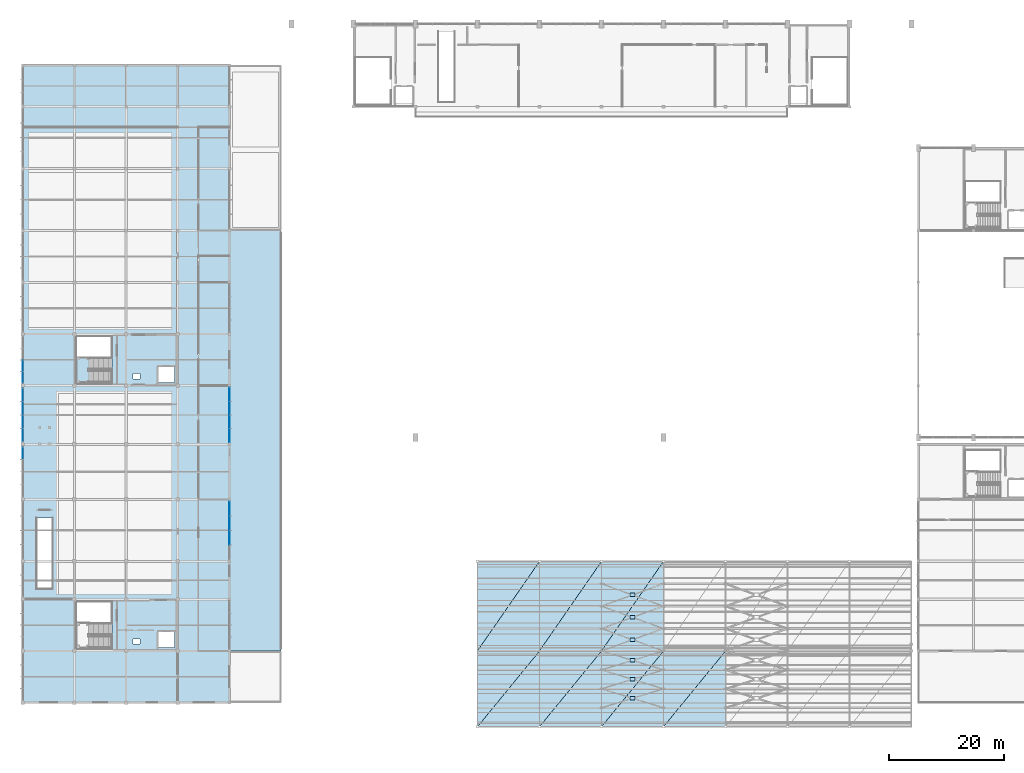
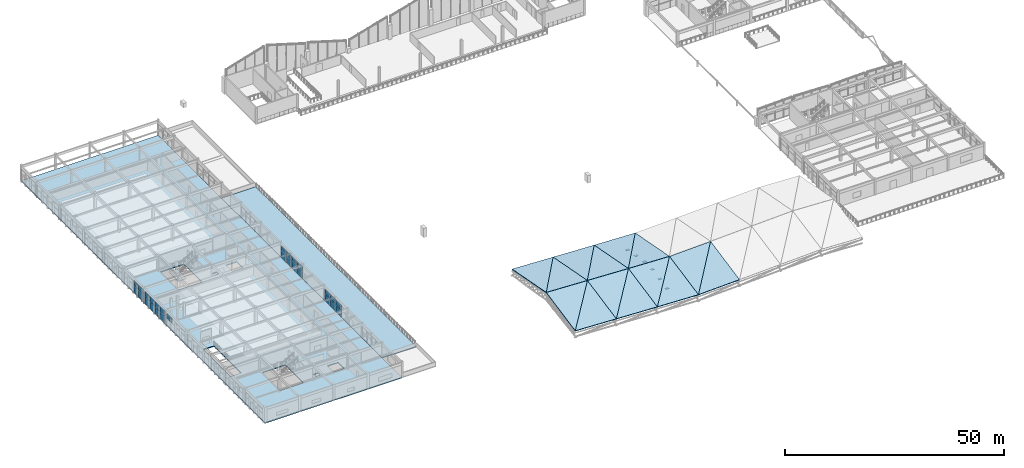
# One storey, part 57 of 89: 33 plates, 17 slabs, 6 elements without a shape of their own.
"""IFC4 building model written with IfcOpenShell, lengths in metres."""

from ifc_helpers import new_model, si_unit, direction, frame, origin, origin_2d, place, context, subcontext, project, spatial, polyline, rectangle, outline, extrude, material, layer, layer_set, type_object, element, aggregate, save


model = new_model("IFC4")

# Units and contexts
model_context = context("Model", 3, precision=1e-05, world=origin(), true_north=direction((0.0, 1.0)))
body_context = subcontext(model_context, "Body", "Model", "MODEL_VIEW")
ifc_project = project(units=[si_unit("LENGTHUNIT", "METRE"), si_unit("AREAUNIT", "SQUARE_METRE"), si_unit("VOLUMEUNIT", "CUBIC_METRE"), si_unit("PLANEANGLEUNIT", "RADIAN"), si_unit("MASSUNIT", "GRAM", prefix="KILO")], contexts=[model_context])

# Site, building, storey
site_placement = place(None, origin())
site = spatial("IfcSite", under=ifc_project, at=site_placement, CompositionType="ELEMENT")
building_placement = place(site_placement, origin())
building = spatial("IfcBuilding", under=site, at=building_placement, Name="Suirenkawa Promenade Aquatics Centre", CompositionType="ELEMENT")
storey_placement = place(building_placement, frame((0.0, 0.0, 9.60009765625)))
storey = spatial("IfcBuildingStorey", under=building, at=storey_placement, Name="L02", CompositionType="ELEMENT", Elevation=9.60009765625)

# Curtain wall, plates
ifc_material_1 = material(Name="Anodised aluminium 6063-T6", Category="aluminium")
curtain_wall_type_1 = type_object("IfcCurtainWallType", Name="CWAT-V5EL02-64", PredefinedType="NOTDEFINED", material=ifc_material_1)
curtain_wall_1_placement = place(storey_placement, origin())
curtain_wall_1 = element("IfcCurtainWall", 1, at=curtain_wall_1_placement, inside=storey, type_object=curtain_wall_type_1, Name="Curtain wall CWA-64 CW-118", PredefinedType="NOTDEFINED")
ifc_material_2 = material(Name="Low-E thermally broken double glazing", Category="glass")
ifc_layer_1 = layer(ifc_material_2, 0.028076171875, Name="Low-E thermally broken double glazing", Category="glass")
ifc_layer_set_1 = layer_set([ifc_layer_1], Name="Low-E thermally broken double glazing")
plate_type_1 = type_object("IfcPlateType", Name="CWP-LOWE-28", PredefinedType="CURTAIN_PANEL", material=ifc_layer_set_1)
plate_1_placement = place(storey_placement, frame((36.0, 39.2509765625, 0.039794921875), z_axis=(0.0, 0.0, 1.0), x_axis=(0.0, -1.0, 0.0)))
plate_1 = element("IfcPlate", 2, at=plate_1_placement, type_object=plate_type_1, Name="Glazed panel CP-02 CWP-02384", PredefinedType="CURTAIN_PANEL", context=body_context, shape_type="SweptSolid", body=[
    extrude(outline(polyline([(0.0400390625, 0.0), (2.485595703125, 0.0), (2.485595703125, 1.8701171875), (0.0400390625, 1.8701171875), (0.0400390625, 0.0)])), frame((0.0, 0.01416015625, 0.0), z_axis=(0.0, -1.0, 0.0), x_axis=(1.0, 0.0, 0.0)), (0.0, 0.0, 1.0), 0.028076171875),
])
plate_2_placement = place(storey_placement, frame((36.0, 39.2509765625, 1.989990234375), z_axis=(0.0, 0.0, 1.0), x_axis=(0.0, -1.0, 0.0)))
plate_2 = element("IfcPlate", 3, at=plate_2_placement, type_object=plate_type_1, Name="Top glazed panel CP-02 CWP-02385", PredefinedType="CURTAIN_PANEL", context=body_context, shape_type="SweptSolid", body=[
    extrude(outline(polyline([(0.0400390625, 0.0), (2.485595703125, 0.0), (2.485595703125, 1.33984375), (0.0400390625, 1.33984375), (0.0400390625, 0.0)])), frame((0.0, 0.01416015625, 0.0), z_axis=(0.0, -1.0, 0.0), x_axis=(1.0, 0.0, 0.0)), (0.0, 0.0, 1.0), 0.028076171875),
])
plate_3_placement = place(storey_placement, frame((36.0, 36.7255859375, 0.039794921875), z_axis=(0.0, 0.0, 1.0), x_axis=(0.0, -1.0, 0.0)))
plate_3 = element("IfcPlate", 4, at=plate_3_placement, type_object=plate_type_1, Name="Glazed panel CP-02 CWP-02386", PredefinedType="CURTAIN_PANEL", context=body_context, shape_type="SweptSolid", body=[
    extrude(outline(polyline([(0.0400390625, 0.0), (2.485595703125, 0.0), (2.485595703125, 1.8701171875), (0.0400390625, 1.8701171875), (0.0400390625, 0.0)])), frame((0.0, 0.01416015625, 0.0), z_axis=(0.0, -1.0, 0.0), x_axis=(1.0, 0.0, 0.0)), (0.0, 0.0, 1.0), 0.028076171875),
])
plate_4_placement = place(storey_placement, frame((36.0, 36.7255859375, 1.989990234375), z_axis=(0.0, 0.0, 1.0), x_axis=(0.0, -1.0, 0.0)))
plate_4 = element("IfcPlate", 5, at=plate_4_placement, type_object=plate_type_1, Name="Top glazed panel CP-02 CWP-02387", PredefinedType="CURTAIN_PANEL", context=body_context, shape_type="SweptSolid", body=[
    extrude(outline(polyline([(0.0400390625, 0.0), (2.485595703125, 0.0), (2.485595703125, 1.33984375), (0.0400390625, 1.33984375), (0.0400390625, 0.0)])), frame((0.0, 0.01416015625, 0.0), z_axis=(0.0, -1.0, 0.0), x_axis=(1.0, 0.0, 0.0)), (0.0, 0.0, 1.0), 0.028076171875),
])
plate_5_placement = place(storey_placement, frame((36.0, 34.199951171875, 0.039794921875), z_axis=(0.0, 0.0, 1.0), x_axis=(0.0, -1.0, 0.0)))
plate_5 = element("IfcPlate", 6, at=plate_5_placement, type_object=plate_type_1, Name="Glazed panel CP-02 CWP-02388", PredefinedType="CURTAIN_PANEL", context=body_context, shape_type="SweptSolid", body=[
    extrude(outline(polyline([(0.0400390625, 0.0), (2.485595703125, 0.0), (2.485595703125, 1.8701171875), (0.0400390625, 1.8701171875), (0.0400390625, 0.0)])), frame((0.0, 0.01416015625, 0.0), z_axis=(0.0, -1.0, 0.0), x_axis=(1.0, 0.0, 0.0)), (0.0, 0.0, 1.0), 0.028076171875),
])
plate_6_placement = place(storey_placement, frame((36.0, 34.199951171875, 1.989990234375), z_axis=(0.0, 0.0, 1.0), x_axis=(0.0, -1.0, 0.0)))
plate_6 = element("IfcPlate", 7, at=plate_6_placement, type_object=plate_type_1, Name="Top glazed panel CP-02 CWP-02389", PredefinedType="CURTAIN_PANEL", context=body_context, shape_type="SweptSolid", body=[
    extrude(outline(polyline([(0.0400390625, 0.0), (2.485595703125, 0.0), (2.485595703125, 1.33984375), (0.0400390625, 1.33984375), (0.0400390625, 0.0)])), frame((0.0, 0.01416015625, 0.0), z_axis=(0.0, -1.0, 0.0), x_axis=(1.0, 0.0, 0.0)), (0.0, 0.0, 1.0), 0.028076171875),
])
aggregate(curtain_wall_1, [plate_1, plate_2, plate_3, plate_4, plate_5, plate_6])

curtain_wall_type_2 = type_object("IfcCurtainWallType", Name="CWAT-V5EL02-67", PredefinedType="NOTDEFINED", material=ifc_material_1)
curtain_wall_2_placement = place(storey_placement, origin())
curtain_wall_2 = element("IfcCurtainWall", 8, at=curtain_wall_2_placement, inside=storey, type_object=curtain_wall_type_2, Name="Curtain wall CWA-67 CW-121", PredefinedType="NOTDEFINED")
plate_7_placement = place(storey_placement, frame((36.0, 59.051025390625, 0.039794921875), z_axis=(0.0, 0.0, 1.0), x_axis=(0.0, -1.0, 0.0)))
plate_7 = element("IfcPlate", 9, at=plate_7_placement, type_object=plate_type_1, Name="Glazed panel CP-02 CWP-02450", PredefinedType="CURTAIN_PANEL", context=body_context, shape_type="SweptSolid", body=[
    extrude(outline(polyline([(0.0400390625, 0.0), (2.33544921875, 0.0), (2.33544921875, 1.8701171875), (0.0400390625, 1.8701171875), (0.0400390625, 0.0)])), frame((0.0, 0.01416015625, 0.0), z_axis=(0.0, -1.0, 0.0), x_axis=(1.0, 0.0, 0.0)), (0.0, 0.0, 1.0), 0.028076171875),
])
plate_8_placement = place(storey_placement, frame((36.0, 59.051025390625, 1.989990234375), z_axis=(0.0, 0.0, 1.0), x_axis=(0.0, -1.0, 0.0)))
plate_8 = element("IfcPlate", 10, at=plate_8_placement, type_object=plate_type_1, Name="Top glazed panel CP-02 CWP-02451", PredefinedType="CURTAIN_PANEL", context=body_context, shape_type="SweptSolid", body=[
    extrude(outline(polyline([(0.0400390625, 0.0), (2.33544921875, 0.0), (2.33544921875, 1.33984375), (0.0400390625, 1.33984375), (0.0400390625, 0.0)])), frame((0.0, 0.01416015625, 0.0), z_axis=(0.0, -1.0, 0.0), x_axis=(1.0, 0.0, 0.0)), (0.0, 0.0, 1.0), 0.028076171875),
])
plate_9_placement = place(storey_placement, frame((36.0, 56.675537109375, 0.039794921875), z_axis=(0.0, 0.0, 1.0), x_axis=(0.0, -1.0, 0.0)))
plate_9 = element("IfcPlate", 11, at=plate_9_placement, type_object=plate_type_1, Name="Glazed panel CP-02 CWP-02452", PredefinedType="CURTAIN_PANEL", context=body_context, shape_type="SweptSolid", body=[
    extrude(outline(polyline([(0.0400390625, 0.0), (2.33544921875, 0.0), (2.33544921875, 1.8701171875), (0.0400390625, 1.8701171875), (0.0400390625, 0.0)])), frame((0.0, 0.01416015625, 0.0), z_axis=(0.0, -1.0, 0.0), x_axis=(1.0, 0.0, 0.0)), (0.0, 0.0, 1.0), 0.028076171875),
])
plate_10_placement = place(storey_placement, frame((36.0, 56.675537109375, 1.989990234375), z_axis=(0.0, 0.0, 1.0), x_axis=(0.0, -1.0, 0.0)))
plate_10 = element("IfcPlate", 12, at=plate_10_placement, type_object=plate_type_1, Name="Top glazed panel CP-02 CWP-02453", PredefinedType="CURTAIN_PANEL", context=body_context, shape_type="SweptSolid", body=[
    extrude(outline(polyline([(0.0400390625, 0.0), (2.33544921875, 0.0), (2.33544921875, 1.33984375), (0.0400390625, 1.33984375), (0.0400390625, 0.0)])), frame((0.0, 0.01416015625, 0.0), z_axis=(0.0, -1.0, 0.0), x_axis=(1.0, 0.0, 0.0)), (0.0, 0.0, 1.0), 0.028076171875),
])
plate_11_placement = place(storey_placement, frame((36.0, 54.300048828125, 0.039794921875), z_axis=(0.0, 0.0, 1.0), x_axis=(0.0, -1.0, 0.0)))
plate_11 = element("IfcPlate", 13, at=plate_11_placement, type_object=plate_type_1, Name="Glazed panel CP-02 CWP-02454", PredefinedType="CURTAIN_PANEL", context=body_context, shape_type="SweptSolid", body=[
    extrude(outline(polyline([(0.0400390625, 0.0), (2.33544921875, 0.0), (2.33544921875, 1.8701171875), (0.0400390625, 1.8701171875), (0.0400390625, 0.0)])), frame((0.0, 0.01416015625, 0.0), z_axis=(0.0, -1.0, 0.0), x_axis=(1.0, 0.0, 0.0)), (0.0, 0.0, 1.0), 0.028076171875),
])
plate_12_placement = place(storey_placement, frame((36.0, 54.300048828125, 1.989990234375), z_axis=(0.0, 0.0, 1.0), x_axis=(0.0, -1.0, 0.0)))
plate_12 = element("IfcPlate", 14, at=plate_12_placement, type_object=plate_type_1, Name="Top glazed panel CP-02 CWP-02455", PredefinedType="CURTAIN_PANEL", context=body_context, shape_type="SweptSolid", body=[
    extrude(outline(polyline([(0.0400390625, 0.0), (2.33544921875, 0.0), (2.33544921875, 1.33984375), (0.0400390625, 1.33984375), (0.0400390625, 0.0)])), frame((0.0, 0.01416015625, 0.0), z_axis=(0.0, -1.0, 0.0), x_axis=(1.0, 0.0, 0.0)), (0.0, 0.0, 1.0), 0.028076171875),
])
plate_13_placement = place(storey_placement, frame((36.0, 51.924560546875, 0.039794921875), z_axis=(0.0, 0.0, 1.0), x_axis=(0.0, -1.0, 0.0)))
plate_13 = element("IfcPlate", 15, at=plate_13_placement, type_object=plate_type_1, Name="Glazed panel CP-02 CWP-02456", PredefinedType="CURTAIN_PANEL", context=body_context, shape_type="SweptSolid", body=[
    extrude(outline(polyline([(0.0400390625, 0.0), (2.33544921875, 0.0), (2.33544921875, 1.8701171875), (0.0400390625, 1.8701171875), (0.0400390625, 0.0)])), frame((0.0, 0.01416015625, 0.0), z_axis=(0.0, -1.0, 0.0), x_axis=(1.0, 0.0, 0.0)), (0.0, 0.0, 1.0), 0.028076171875),
])
plate_14_placement = place(storey_placement, frame((36.0, 51.924560546875, 1.989990234375), z_axis=(0.0, 0.0, 1.0), x_axis=(0.0, -1.0, 0.0)))
plate_14 = element("IfcPlate", 16, at=plate_14_placement, type_object=plate_type_1, Name="Top glazed panel CP-02 CWP-02457", PredefinedType="CURTAIN_PANEL", context=body_context, shape_type="SweptSolid", body=[
    extrude(outline(polyline([(0.0400390625, 0.0), (2.33544921875, 0.0), (2.33544921875, 1.33984375), (0.0400390625, 1.33984375), (0.0400390625, 0.0)])), frame((0.0, 0.01416015625, 0.0), z_axis=(0.0, -1.0, 0.0), x_axis=(1.0, 0.0, 0.0)), (0.0, 0.0, 1.0), 0.028076171875),
])
aggregate(curtain_wall_2, [plate_7, plate_8, plate_9, plate_10, plate_11, plate_12, plate_13, plate_14])

# Curtain wall, plate
curtain_wall_type_3 = type_object("IfcCurtainWallType", Name="CWAT-V5WL02-65", PredefinedType="NOTDEFINED", material=ifc_material_1)
curtain_wall_3_placement = place(storey_placement, origin())
curtain_wall_3 = element("IfcCurtainWall", 17, at=curtain_wall_3_placement, inside=storey, type_object=curtain_wall_type_3, Name="Curtain wall CWA-65 CW-119", PredefinedType="NOTDEFINED")
ifc_material_3 = material(Name="Ceramic-fritted low-SHGC double glazing", Category="glass")
ifc_layer_2 = layer(ifc_material_3, 0.035888671875, Name="Ceramic-fritted low-SHGC double glazing", Category="glass")
ifc_layer_set_2 = layer_set([ifc_layer_2], Name="Ceramic-fritted low-SHGC double glazing")
plate_type_2 = type_object("IfcPlateType", Name="CWP-SHOJI-36", PredefinedType="CURTAIN_PANEL", material=ifc_layer_set_2)
plate_15_placement = place(storey_placement, frame((0.0, 46.575439453125, 1.989990234375), z_axis=(0.0, 0.0, 1.0), x_axis=(0.0, 1.0, 0.0)))
plate_15 = element("IfcPlate", 18, at=plate_15_placement, type_object=plate_type_2, Name="Top glazed panel CP-01 CWP-02413", PredefinedType="CURTAIN_PANEL", context=body_context, shape_type="SweptSolid", body=[
    extrude(outline(polyline([(0.0400390625, 0.0), (2.135498046875, 0.0), (2.135498046875, 1.33984375), (0.0400390625, 1.33984375), (0.0400390625, 0.0)])), frame((0.0, 0.01806640625, 0.0), z_axis=(0.0, -1.0, 0.0), x_axis=(1.0, 0.0, 0.0)), (0.0, 0.0, 1.0), 0.035888671875),
])
aggregate(curtain_wall_3, [plate_15])

# Curtain wall, plates
curtain_wall_type_4 = type_object("IfcCurtainWallType", Name="CWAT-V5WL02-66", PredefinedType="NOTDEFINED", material=ifc_material_1)
curtain_wall_4_placement = place(storey_placement, origin())
curtain_wall_4 = element("IfcCurtainWall", 19, at=curtain_wall_4_placement, inside=storey, type_object=curtain_wall_type_4, Name="Curtain wall CWA-66 CW-120", PredefinedType="NOTDEFINED")
plate_16_placement = place(storey_placement, frame((0.0, 49.64892578125, 0.039794921875), z_axis=(0.0, 0.0, 1.0), x_axis=(0.0, 1.0, 0.0)))
plate_16 = element("IfcPlate", 20, at=plate_16_placement, type_object=plate_type_2, Name="Glazed panel CP-01 CWP-02428", PredefinedType="CURTAIN_PANEL", context=body_context, shape_type="SweptSolid", body=[
    extrude(outline(polyline([(0.0400390625, 0.0), (2.285400390625, 0.0), (2.285400390625, 1.8701171875), (0.0400390625, 1.8701171875), (0.0400390625, 0.0)])), frame((0.0, 0.01806640625, 0.0), z_axis=(0.0, -1.0, 0.0), x_axis=(1.0, 0.0, 0.0)), (0.0, 0.0, 1.0), 0.035888671875),
])
plate_17_placement = place(storey_placement, frame((0.0, 49.64892578125, 1.989990234375), z_axis=(0.0, 0.0, 1.0), x_axis=(0.0, 1.0, 0.0)))
plate_17 = element("IfcPlate", 21, at=plate_17_placement, type_object=plate_type_2, Name="Top glazed panel CP-01 CWP-02429", PredefinedType="CURTAIN_PANEL", context=body_context, shape_type="SweptSolid", body=[
    extrude(outline(polyline([(0.0400390625, 0.0), (2.285400390625, 0.0), (2.285400390625, 1.33984375), (0.0400390625, 1.33984375), (0.0400390625, 0.0)])), frame((0.0, 0.01806640625, 0.0), z_axis=(0.0, -1.0, 0.0), x_axis=(1.0, 0.0, 0.0)), (0.0, 0.0, 1.0), 0.035888671875),
])
plate_18_placement = place(storey_placement, frame((0.0, 51.974609375, 0.039794921875), z_axis=(0.0, 0.0, 1.0), x_axis=(0.0, 1.0, 0.0)))
plate_18 = element("IfcPlate", 22, at=plate_18_placement, type_object=plate_type_2, Name="Glazed panel CP-01 CWP-02430", PredefinedType="CURTAIN_PANEL", context=body_context, shape_type="SweptSolid", body=[
    extrude(outline(polyline([(0.0400390625, 0.0), (2.285400390625, 0.0), (2.285400390625, 1.8701171875), (0.0400390625, 1.8701171875), (0.0400390625, 0.0)])), frame((0.0, 0.01806640625, 0.0), z_axis=(0.0, -1.0, 0.0), x_axis=(1.0, 0.0, 0.0)), (0.0, 0.0, 1.0), 0.035888671875),
])
plate_19_placement = place(storey_placement, frame((0.0, 51.974609375, 1.989990234375), z_axis=(0.0, 0.0, 1.0), x_axis=(0.0, 1.0, 0.0)))
plate_19 = element("IfcPlate", 23, at=plate_19_placement, type_object=plate_type_2, Name="Top glazed panel CP-01 CWP-02431", PredefinedType="CURTAIN_PANEL", context=body_context, shape_type="SweptSolid", body=[
    extrude(outline(polyline([(0.0400390625, 0.0), (2.285400390625, 0.0), (2.285400390625, 1.33984375), (0.0400390625, 1.33984375), (0.0400390625, 0.0)])), frame((0.0, 0.01806640625, 0.0), z_axis=(0.0, -1.0, 0.0), x_axis=(1.0, 0.0, 0.0)), (0.0, 0.0, 1.0), 0.035888671875),
])
plate_20_placement = place(storey_placement, frame((0.0, 54.300048828125, 0.039794921875), z_axis=(0.0, 0.0, 1.0), x_axis=(0.0, 1.0, 0.0)))
plate_20 = element("IfcPlate", 24, at=plate_20_placement, type_object=plate_type_2, Name="Glazed panel CP-01 CWP-02432", PredefinedType="CURTAIN_PANEL", context=body_context, shape_type="SweptSolid", body=[
    extrude(outline(polyline([(0.0400390625, 0.0), (2.285400390625, 0.0), (2.285400390625, 1.8701171875), (0.0400390625, 1.8701171875), (0.0400390625, 0.0)])), frame((0.0, 0.01806640625, 0.0), z_axis=(0.0, -1.0, 0.0), x_axis=(1.0, 0.0, 0.0)), (0.0, 0.0, 1.0), 0.035888671875),
])
plate_21_placement = place(storey_placement, frame((0.0, 54.300048828125, 1.989990234375), z_axis=(0.0, 0.0, 1.0), x_axis=(0.0, 1.0, 0.0)))
plate_21 = element("IfcPlate", 25, at=plate_21_placement, type_object=plate_type_2, Name="Top glazed panel CP-01 CWP-02433", PredefinedType="CURTAIN_PANEL", context=body_context, shape_type="SweptSolid", body=[
    extrude(outline(polyline([(0.0400390625, 0.0), (2.285400390625, 0.0), (2.285400390625, 1.33984375), (0.0400390625, 1.33984375), (0.0400390625, 0.0)])), frame((0.0, 0.01806640625, 0.0), z_axis=(0.0, -1.0, 0.0), x_axis=(1.0, 0.0, 0.0)), (0.0, 0.0, 1.0), 0.035888671875),
])
plate_22_placement = place(storey_placement, frame((0.0, 56.62548828125, 0.039794921875), z_axis=(0.0, 0.0, 1.0), x_axis=(0.0, 1.0, 0.0)))
plate_22 = element("IfcPlate", 26, at=plate_22_placement, type_object=plate_type_2, Name="Glazed panel CP-01 CWP-02434", PredefinedType="CURTAIN_PANEL", context=body_context, shape_type="SweptSolid", body=[
    extrude(outline(polyline([(0.0400390625, 0.0), (2.285400390625, 0.0), (2.285400390625, 1.8701171875), (0.0400390625, 1.8701171875), (0.0400390625, 0.0)])), frame((0.0, 0.01806640625, 0.0), z_axis=(0.0, -1.0, 0.0), x_axis=(1.0, 0.0, 0.0)), (0.0, 0.0, 1.0), 0.035888671875),
])
plate_23_placement = place(storey_placement, frame((0.0, 56.62548828125, 1.989990234375), z_axis=(0.0, 0.0, 1.0), x_axis=(0.0, 1.0, 0.0)))
plate_23 = element("IfcPlate", 27, at=plate_23_placement, type_object=plate_type_2, Name="Top glazed panel CP-01 CWP-02435", PredefinedType="CURTAIN_PANEL", context=body_context, shape_type="SweptSolid", body=[
    extrude(outline(polyline([(0.0400390625, 0.0), (2.285400390625, 0.0), (2.285400390625, 1.33984375), (0.0400390625, 1.33984375), (0.0400390625, 0.0)])), frame((0.0, 0.01806640625, 0.0), z_axis=(0.0, -1.0, 0.0), x_axis=(1.0, 0.0, 0.0)), (0.0, 0.0, 1.0), 0.035888671875),
])
aggregate(curtain_wall_4, [plate_16, plate_17, plate_18, plate_19, plate_20, plate_21, plate_22, plate_23])

curtain_wall_type_5 = type_object("IfcCurtainWallType", Name="CWAT-V5WL02-60", PredefinedType="NOTDEFINED", material=ifc_material_1)
curtain_wall_5_placement = place(storey_placement, origin())
curtain_wall_5 = element("IfcCurtainWall", 28, at=curtain_wall_5_placement, inside=storey, type_object=curtain_wall_type_5, Name="Curtain wall CWA-60 CW-122", PredefinedType="NOTDEFINED")
plate_24_placement = place(storey_placement, frame((0.0, 59.84912109375, 0.039794921875), z_axis=(0.0, 0.0, 1.0), x_axis=(0.0, 1.0, 0.0)))
plate_24 = element("IfcPlate", 29, at=plate_24_placement, type_object=plate_type_2, Name="Glazed panel CP-01 CWP-02472", PredefinedType="CURTAIN_PANEL", context=body_context, shape_type="SweptSolid", body=[
    extrude(outline(polyline([(0.0400390625, 0.0), (1.985595703125, 0.0), (1.985595703125, 1.8701171875), (0.0400390625, 1.8701171875), (0.0400390625, 0.0)])), frame((0.0, 0.01806640625, 0.0), z_axis=(0.0, -1.0, 0.0), x_axis=(1.0, 0.0, 0.0)), (0.0, 0.0, 1.0), 0.035888671875),
])
plate_25_placement = place(storey_placement, frame((0.0, 59.84912109375, 1.989990234375), z_axis=(0.0, 0.0, 1.0), x_axis=(0.0, 1.0, 0.0)))
plate_25 = element("IfcPlate", 30, at=plate_25_placement, type_object=plate_type_2, Name="Top glazed panel CP-01 CWP-02473", PredefinedType="CURTAIN_PANEL", context=body_context, shape_type="SweptSolid", body=[
    extrude(outline(polyline([(0.0400390625, 0.0), (1.985595703125, 0.0), (1.985595703125, 1.33984375), (0.0400390625, 1.33984375), (0.0400390625, 0.0)])), frame((0.0, 0.01806640625, 0.0), z_axis=(0.0, -1.0, 0.0), x_axis=(1.0, 0.0, 0.0)), (0.0, 0.0, 1.0), 0.035888671875),
])
plate_26_placement = place(storey_placement, frame((0.0, 61.87451171875, 0.039794921875), z_axis=(0.0, 0.0, 1.0), x_axis=(0.0, 1.0, 0.0)))
plate_26 = element("IfcPlate", 31, at=plate_26_placement, type_object=plate_type_2, Name="Glazed panel CP-01 CWP-02474", PredefinedType="CURTAIN_PANEL", context=body_context, shape_type="SweptSolid", body=[
    extrude(outline(polyline([(0.0400390625, 0.0), (1.985595703125, 0.0), (1.985595703125, 1.8701171875), (0.0400390625, 1.8701171875), (0.0400390625, 0.0)])), frame((0.0, 0.01806640625, 0.0), z_axis=(0.0, -1.0, 0.0), x_axis=(1.0, 0.0, 0.0)), (0.0, 0.0, 1.0), 0.035888671875),
])
plate_27_placement = place(storey_placement, frame((0.0, 61.87451171875, 1.989990234375), z_axis=(0.0, 0.0, 1.0), x_axis=(0.0, 1.0, 0.0)))
plate_27 = element("IfcPlate", 32, at=plate_27_placement, type_object=plate_type_2, Name="Top glazed panel CP-01 CWP-02475", PredefinedType="CURTAIN_PANEL", context=body_context, shape_type="SweptSolid", body=[
    extrude(outline(polyline([(0.0400390625, 0.0), (1.985595703125, 0.0), (1.985595703125, 1.33984375), (0.0400390625, 1.33984375), (0.0400390625, 0.0)])), frame((0.0, 0.01806640625, 0.0), z_axis=(0.0, -1.0, 0.0), x_axis=(1.0, 0.0, 0.0)), (0.0, 0.0, 1.0), 0.035888671875),
])
aggregate(curtain_wall_5, [plate_24, plate_25, plate_26, plate_27])

# Plates
ifc_material_4 = material(Name="Steel IS 2062 E350 (Grade 350)", Category="steel")
ifc_layer_3 = layer(ifc_material_4, 0.02392578125, Name="Steel IS 2062 E350 (Grade 350)", Category="steel")
ifc_layer_set_3 = layer_set([ifc_layer_3], Name="Steel IS 2062 E350 (Grade 350)")
plate_type_3 = type_object("IfcPlateType", Name="PLT-GUSSET-800x600x24", PredefinedType="USERDEFINED", material=ifc_layer_set_3)
for number, where, z_axis, x_axis, name in (
    (33, (106.199951171875, 4.949951171875, -0.328125), (0.0, 0.0, 1.0), (1.0, 0.0, 0.0), "Truss node plate TN-04 PLG-0220"),
    (34, (106.199951171875, 8.25, 0.3349609375), (0.0, 0.0, 1.0), (1.0, 0.0, 0.0), "Truss node plate TN-04 PLG-0225"),
    (35, (106.199951171875, 11.550048828125, 0.996826171875), (0.0, 0.0, 1.0), (1.0, 0.0, 0.0), "Truss node plate TN-04 PLG-0228"),
    (36, (106.199951171875, 15.14990234375, 0.958984375), (0.0, 0.0, 1.0), (1.0, 0.0, 0.0), "Truss node plate TN-04 PLG-0231"),
    (37, (106.199951171875, 19.050048828125, 0.221923828125), (0.0, 0.0, 1.0), (1.0, 0.0, 0.0), "Truss node plate TN-04 PLG-0234"),
    (38, (106.199951171875, 22.949951171875, -0.51611328125), (0.0, 0.0, 1.0), (1.0, 0.0, 0.0), "Truss node plate TN-04 PLG-0237"),
):
    element("IfcPlate", number, at=place(storey_placement, frame(where, z_axis=z_axis, x_axis=x_axis)), inside=storey, type_object=plate_type_3, Name=name, ObjectType="GUSSET", PredefinedType="USERDEFINED", context=body_context, shape_type="SweptSolid", body=[
        extrude(rectangle(XDim=0.800048828125, YDim=0.60009765625, at=origin_2d()), origin(), (0.0, 0.0, 1.0), 0.02392578125),
    ])

# Stair, slab
ifc_material_5 = material(Name="Concrete M40", Category="concrete")
stair_type = type_object("IfcStairType", Name="STT-CORE-2100-450", PredefinedType="TWO_STRAIGHT_RUN_STAIR", material=ifc_material_5)
stair_placement = place(storey_placement, origin())
stair = element("IfcStair", 39, at=stair_placement, inside=storey, type_object=stair_type, Name="Protected exit stair STR-02 ST-09", PredefinedType="TWO_STRAIGHT_RUN_STAIR")
ifc_layer_4 = layer(ifc_material_5, 0.169921875, Name="Concrete M40", Category="concrete")
ifc_layer_set_4 = layer_set([ifc_layer_4], Name="Concrete M40")
slab_type_1 = type_object("IfcSlabType", Name="SLT-LANDING-170", PredefinedType="LANDING", material=ifc_layer_set_4)
slab_1_placement = place(storey_placement, frame((0.0, 0.0, 2.06982421875)))
slab_1 = element("IfcSlab", 40, at=slab_1_placement, type_object=slab_type_1, Name="Stair landing SL-LND-01 SL-8009", PredefinedType="LANDING", context=body_context, shape_type="SweptSolid", body=[
    extrude(outline(polyline([(9.360107421875, 59.919921875), (11.550048828125, 59.919921875), (11.550048828125, 64.31005859375), (9.360107421875, 64.31005859375), (9.360107421875, 59.919921875)])), origin(), (0.0, 0.0, 1.0), 0.18017578125),
])
aggregate(stair, [slab_1])

# Slabs
ifc_material_6 = material(Name="Concrete M35", Category="concrete")
ifc_layer_5 = layer(ifc_material_6, 0.199951171875, Name="Concrete M35", Category="concrete")
ifc_layer_set_5 = layer_set([ifc_layer_5], Name="Concrete M35")
slab_type_2 = type_object("IfcSlabType", Name="SLT-ROOF-V3-200", PredefinedType="ROOF", material=ifc_layer_set_5)
slab_2_placement = place(storey_placement, frame((79.199951171875, 0.0, 0.349853515625), z_axis=(0.040810333484, -0.196975199713, 0.979558720741), x_axis=(0.9991332688, 0.0, -0.041625847467)))
element("IfcSlab", 41, at=slab_2_placement, inside=storey, type_object=slab_type_2, Name="Folded roof facet SL-ROOF-03 SL-V3-RFS-01-1", PredefinedType="ROOF", context=body_context, shape_type="SweptSolid", body=[
    extrude(outline(polyline([(0.0, 0.0), (10.809417687690482, 0.0), (10.699113256927074, 13.441314412000034), (0.0, 0.0)])), origin(), (0.0, 0.0, -1.0), 0.199951171875),
])
slab_3_placement = place(storey_placement, frame((79.199951171875, 0.0, 0.349853515625), z_axis=(0.040832294033, -0.196992465143, 0.979554333583), x_axis=(0.62865404411, 0.767069632636, 0.128055735956)))
element("IfcSlab", 42, at=slab_3_placement, inside=storey, type_object=slab_type_2, Name="Folded roof facet SL-ROOF-03 SL-V3-RFS-01-2", PredefinedType="ROOF", context=body_context, shape_type="SweptSolid", body=[
    extrude(outline(polyline([(0.0, 0.0), (17.17963787763853, -7.771561172376096e-16), (10.447793597316933, 8.457304718099175), (0.0, 0.0)])), origin(), (0.0, 0.0, -1.0), 0.199951171875),
])
slab_4_placement = place(storey_placement, frame((79.199951171875, 13.221923828125, 3.0), z_axis=(0.040922387173, 0.185902552753, 0.981715640656), x_axis=(0.999132329203, 0.0, -0.041648394219)))
element("IfcSlab", 43, at=slab_4_placement, inside=storey, type_object=slab_type_2, Name="Folded roof facet SL-ROOF-03 SL-V3-RFN-01-1", PredefinedType="ROOF", context=body_context, shape_type="SweptSolid", body=[
    extrude(outline(polyline([(0.0, 0.0), (10.80942785300319, -1.3877787807814457e-17), (10.932288582335227, 15.854497648089), (0.0, 0.0)])), origin(), (0.0, 0.0, -1.0), 0.199951171875),
])
slab_5_placement = place(storey_placement, frame((79.199951171875, 13.221923828125, 3.0), z_axis=(0.040900115136, 0.18591757523, 0.981713723955), x_axis=(0.560801278009, 0.808906751072, -0.17655535861)))
element("IfcSlab", 44, at=slab_5_placement, inside=storey, type_object=slab_type_2, Name="Folded roof facet SL-ROOF-03 SL-V3-RFN-01-2", PredefinedType="ROOF", context=body_context, shape_type="SweptSolid", body=[
    extrude(outline(polyline([(0.0, 0.0), (19.258245748788152, -2.7755575615628914e-15), (13.122123272912516, 8.898961271295079), (0.0, 0.0)])), origin(), (0.0, 0.0, -1.0), 0.199951171875),
])
slab_6_placement = place(storey_placement, frame((90.0, 0.0, -0.10009765625), z_axis=(0.040810333484, -0.196975199713, 0.979558720741), x_axis=(0.9991332688, 0.0, -0.041625847467)))
element("IfcSlab", 45, at=slab_6_placement, inside=storey, type_object=slab_type_2, Name="Folded roof facet SL-ROOF-03 SL-V3-RFS-02-1", PredefinedType="ROOF", context=body_context, shape_type="SweptSolid", body=[
    extrude(outline(polyline([(0.0, 0.0), (10.809417687690482, 0.0), (10.699113256927074, 13.441314412000034), (0.0, 0.0)])), origin(), (0.0, 0.0, -1.0), 0.199951171875),
])
slab_7_placement = place(storey_placement, frame((90.0, 0.0, -0.10009765625), z_axis=(0.040810333484, -0.196975199713, 0.979558720741), x_axis=(0.62865404411, 0.767069632636, 0.128055735956)))
element("IfcSlab", 46, at=slab_7_placement, inside=storey, type_object=slab_type_2, Name="Folded roof facet SL-ROOF-03 SL-V3-RFS-02-2", PredefinedType="ROOF", context=body_context, shape_type="SweptSolid", body=[
    extrude(outline(polyline([(0.0, 0.0), (17.17963787763853, -8.881784197001252e-16), (10.447762333709523, 8.457266840298136), (0.0, 0.0)])), origin(), (0.0, 0.0, -1.0), 0.199951171875),
])
slab_8_placement = place(storey_placement, frame((90.0, 13.221923828125, 2.5498046875), z_axis=(0.040900232123, 0.185902721536, 0.981716531967), x_axis=(0.9991332688, 0.0, -0.041625847467)))
element("IfcSlab", 47, at=slab_8_placement, inside=storey, type_object=slab_type_2, Name="Folded roof facet SL-ROOF-03 SL-V3-RFN-02-1", PredefinedType="ROOF", context=body_context, shape_type="SweptSolid", body=[
    extrude(outline(polyline([(0.0, 0.0), (10.809417687690482, 0.0), (10.932211905206078, 15.85449816336728), (0.0, 0.0)])), origin(), (0.0, 0.0, -1.0), 0.199951171875),
])
slab_9_placement = place(storey_placement, frame((90.0, 13.221923828125, 2.5498046875), z_axis=(0.040900232123, 0.185902721536, 0.981716531967), x_axis=(0.560802533169, 0.808908561531, -0.17654307654)))
element("IfcSlab", 48, at=slab_9_placement, inside=storey, type_object=slab_type_2, Name="Folded roof facet SL-ROOF-03 SL-V3-RFN-02-2", PredefinedType="ROOF", context=body_context, shape_type="SweptSolid", body=[
    extrude(outline(polyline([(0.0, 0.0), (19.258202645951826, -1.5543122344752192e-15), (13.122072140618547, 8.898955734718214), (0.0, 0.0)])), origin(), (0.0, 0.0, -1.0), 0.199951171875),
])
slab_10_placement = place(storey_placement, frame((100.800048828125, 0.0, -0.550048828125), z_axis=(0.036299266861, -0.197026957807, 0.979725849982), x_axis=(0.999314338554, 0.0, -0.037025028842)))
element("IfcSlab", 49, at=slab_10_placement, inside=storey, type_object=slab_type_2, Name="Folded roof facet SL-ROOF-03 SL-V3-RFS-03-1", PredefinedType="ROOF", context=body_context, shape_type="SweptSolid", body=[
    extrude(outline(polyline([(0.0, 0.0), (10.80745908615165, 2.7755575615628914e-17), (10.709337336131773, 13.441456999488272), (0.0, 0.0)])), origin(), (0.0, 0.0, -1.0), 0.199951171875),
])
slab_11_placement = place(storey_placement, frame((100.800048828125, 0.0, -0.550048828125), z_axis=(0.036277278542, -0.197009669853, 0.97973014093), x_axis=(0.628416984722, 0.766780378062, 0.130919613247)))
element("IfcSlab", 50, at=slab_11_placement, inside=storey, type_object=slab_type_2, Name="Folded roof facet SL-ROOF-03 SL-V3-RFS-03-2", PredefinedType="ROOF", context=body_context, shape_type="SweptSolid", body=[
    extrude(outline(polyline([(0.0, 0.0), (17.18611859752394, -6.661338147750939e-16), (10.451539538287035, 8.452598503969575), (0.0, 0.0)])), origin(), (0.0, 0.0, -1.0), 0.199951171875),
])
slab_12_placement = place(storey_placement, frame((100.800048828125, 13.221923828125, 2.099853515625), z_axis=(0.036357219649, 0.185935397545, 0.981889087687), x_axis=(0.999315174122, 0.0, -0.03700246977)))
element("IfcSlab", 51, at=slab_12_placement, inside=storey, type_object=slab_type_2, Name="Folded roof facet SL-ROOF-03 SL-V3-RFN-03-1", PredefinedType="ROOF", context=body_context, shape_type="SweptSolid", body=[
    extrude(outline(polyline([(0.0, 0.0), (10.807450049591761, 0.0), (10.916605528651822, 15.85459792973202), (0.0, 0.0)])), origin(), (0.0, 0.0, -1.0), 0.199951171875),
])
slab_13_placement = place(storey_placement, frame((100.800048828125, 13.221923828125, 2.099853515625), z_axis=(0.036357219649, 0.185935397545, 0.981889087687), x_axis=(0.561058113397, 0.809277213636, -0.174023518184)))
element("IfcSlab", 52, at=slab_13_placement, inside=storey, type_object=slab_type_2, Name="Folded roof facet SL-ROOF-03 SL-V3-RFN-03-2", PredefinedType="ROOF", context=body_context, shape_type="SweptSolid", body=[
    extrude(outline(polyline([(0.0, 0.0), (19.249429907964917, -1.2212453270876722e-15), (13.120382475075262, 8.901446744198923), (0.0, 0.0)])), origin(), (0.0, 0.0, -1.0), 0.199951171875),
])
slab_14_placement = place(storey_placement, frame((111.60009765625, 0.0, -0.9501953125), z_axis=(-0.036300216173, -0.19700950565, 0.979729324349), x_axis=(0.999314307585, 0.0, 0.037025864683)))
element("IfcSlab", 53, at=slab_14_placement, inside=storey, type_object=slab_type_2, Name="Folded roof facet SL-ROOF-03 SL-V3-RFS-04-1", PredefinedType="ROOF", context=body_context, shape_type="SweptSolid", body=[
    extrude(outline(polyline([(0.0, 0.0), (10.807215112928246, 0.0), (10.905330038531991, 13.441408916146388), (0.0, 0.0)])), origin(), (0.0, 0.0, -1.0), 0.199951171875),
])
slab_15_placement = place(storey_placement, frame((111.60009765625, 0.0, -0.9501953125), z_axis=(-0.036277967815, -0.197027110293, 0.979726608223), x_axis=(0.623945513392, 0.761341599068, 0.176212842454)))
element("IfcSlab", 54, at=slab_15_placement, inside=storey, type_object=slab_type_2, Name="Folded roof facet SL-ROOF-03 SL-V3-RFS-04-2", PredefinedType="ROOF", context=body_context, shape_type="SweptSolid", body=[
    extrude(outline(polyline([(0.0, 0.0), (17.30889068948001, -1.27675647831893e-15), (10.499933080504164, 8.392484700722049), (0.0, 0.0)])), origin(), (0.0, 0.0, -1.0), 0.199951171875),
])
ifc_material_7 = material(Name="Waterproof concrete M40", Category="concrete")
ifc_layer_6 = layer(ifc_material_7, 0.219970703125, Name="Waterproof concrete M40", Category="concrete")
ifc_layer_set_6 = layer_set([ifc_layer_6], Name="Waterproof concrete M40")
slab_type_3 = type_object("IfcSlabType", Name="SLT-TERR-220", PredefinedType="FLOOR", material=ifc_layer_set_6)
slab_16_placement = place(storey_placement, frame((0.0, 0.0, -0.22021484375)))
element("IfcSlab", 55, at=slab_16_placement, inside=storey, type_object=slab_type_3, Name="V5 L02 courtyard fitness terrace SL-EXT-01 SL-0065", PredefinedType="FLOOR", context=body_context, shape_type="SweptSolid", body=[
    extrude(outline(polyline([(36.0, 13.199951171875), (45.0, 13.199951171875), (45.0, 86.39990234375), (36.0, 86.39990234375), (36.0, 13.199951171875)])), origin(), (0.0, 0.0, 1.0), 0.22021484375),
])
ifc_layer_7 = layer(ifc_material_6, 0.260009765625, Name="Concrete M35", Category="concrete")
ifc_layer_set_7 = layer_set([ifc_layer_7], Name="Concrete M35")
slab_type_4 = type_object("IfcSlabType", Name="SLT-WELL-260", PredefinedType="FLOOR", material=ifc_layer_set_7)
slab_17_placement = place(storey_placement, frame((0.0, 0.0, -0.260009765625)))
element("IfcSlab", 56, at=slab_17_placement, inside=storey, type_object=slab_type_4, Name="V5 L02 conditioning gym floor SL-FLR-04 SL-0064", PredefinedType="FLOOR", context=body_context, shape_type="SweptSolid", body=[
    extrude(outline(polyline([(0.0, 4.199951171875), (36.0, 4.199951171875), (36.0, 115.199951171875), (0.0, 115.199951171875), (0.0, 4.199951171875)]), holes=[polyline([(9.360107421875, 13.56005859375), (15.5, 13.56005859375), (15.5, 21.760009765625), (9.360107421875, 21.760009765625), (9.360107421875, 13.56005859375)]), polyline([(23.60009765625, 13.800048828125), (26.39990234375, 13.800048828125), (26.39990234375, 16.60009765625), (23.60009765625, 16.60009765625), (23.60009765625, 13.800048828125)]), polyline([(9.360107421875, 59.760009765625), (15.5, 59.760009765625), (15.5, 67.9599609375), (9.360107421875, 67.9599609375), (9.360107421875, 59.760009765625)]), polyline([(23.60009765625, 60.0), (26.39990234375, 60.0), (26.39990234375, 62.800048828125), (23.60009765625, 62.800048828125), (23.60009765625, 60.0)]), polyline([(19.199951171875, 14.39990234375), (20.39990234375, 14.39990234375), (20.39990234375, 15.300048828125), (19.199951171875, 15.300048828125), (19.199951171875, 14.39990234375)]), polyline([(19.199951171875, 60.60009765625), (20.39990234375, 60.60009765625), (20.39990234375, 61.5), (19.199951171875, 61.5), (19.199951171875, 60.60009765625)]), polyline([(2.39990234375, 24.0), (5.199951171875, 24.0), (5.199951171875, 36.39990234375), (2.39990234375, 36.39990234375), (2.39990234375, 24.0)])]), origin(), (0.0, 0.0, 1.0), 0.260009765625),
])

save(model, "model.ifc")
